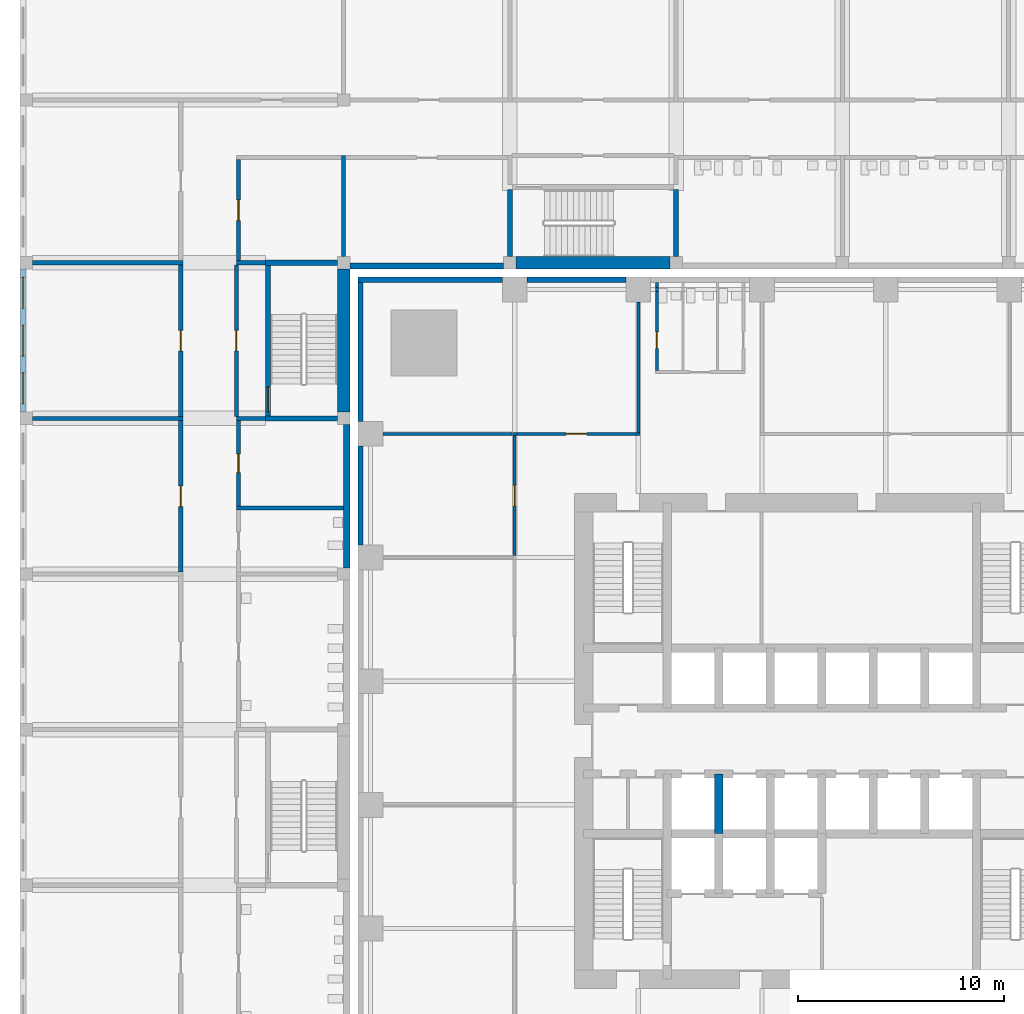
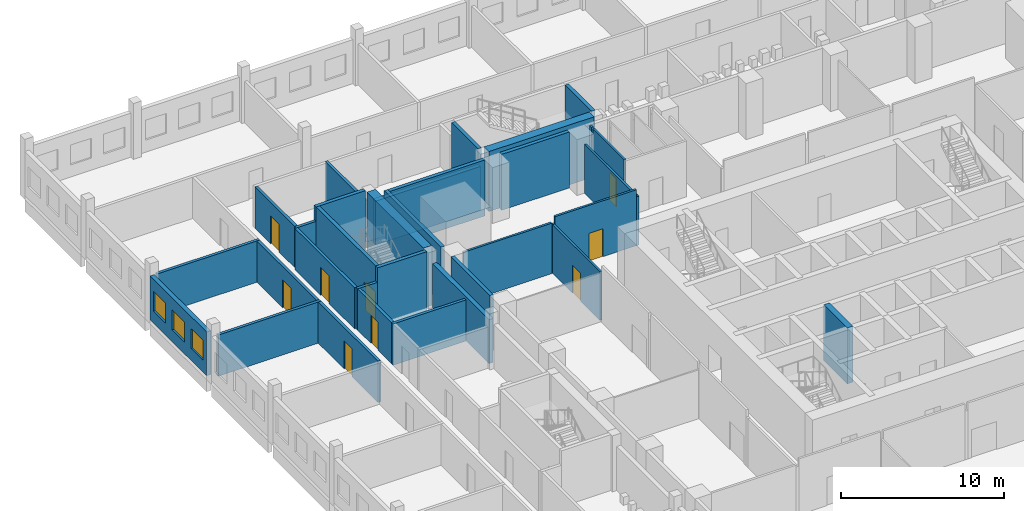
# One storey, part 21 of 34: 35 walls, 9 doors, 3 windows, 12 openings.
"""IFC4 building model written with IfcOpenShell, lengths in metres."""

from ifc_helpers import new_model, si_unit, direction, frame, frame_2d, origin, place, context, subcontext, project, spatial, rectangle, extrude, material, layer, layer_set, type_object, element, fill, save


model = new_model("IFC4")

# Units and contexts
model_context = context("Model", 3, precision=1e-05, world=origin(), true_north=direction((0.0, 1.0)))
body_context = subcontext(model_context, "Body", "Model", "MODEL_VIEW")
ifc_project = project(units=[si_unit("LENGTHUNIT", "METRE"), si_unit("AREAUNIT", "SQUARE_METRE"), si_unit("VOLUMEUNIT", "CUBIC_METRE"), si_unit("PLANEANGLEUNIT", "RADIAN"), si_unit("MASSUNIT", "GRAM", prefix="KILO")], contexts=[model_context])

# Site, building, storey
site_placement = place(None, origin())
site = spatial("IfcSite", under=ifc_project, at=site_placement, CompositionType="ELEMENT")
building_placement = place(site_placement, origin())
building = spatial("IfcBuilding", under=site, at=building_placement, Name="Amberfall Residences", CompositionType="ELEMENT")
storey_placement = place(building_placement, frame((0.0, 0.0, 5.5)))
storey = spatial("IfcBuildingStorey", under=building, at=storey_placement, Name="L01", CompositionType="ELEMENT", Elevation=5.5)

# Walls
ifc_material_1 = material(Name="Concrete C80", Category="concrete")
ifc_layer_1 = layer(ifc_material_1, 0.39990234375)
ifc_layer_set_1 = layer_set([ifc_layer_1], Name="Core wall 400 C80")
wall_type_1 = type_object("IfcWallType", Name="Core wall 400 C80", PredefinedType="SHEAR", material=ifc_layer_set_1)
wall_1_placement = place(storey_placement, frame((69.5, 41.0, 0.0), z_axis=(0.0, 0.0, 1.0), x_axis=(0.0, 1.0, 0.0)))
element("IfcWall", 1, at=wall_1_placement, inside=storey, type_object=wall_type_1, Name="Core wall RW2 L01 LPD1", PredefinedType="SHEAR", context=body_context, shape_type="SweptSolid", body=[
    extrude(rectangle(XDim=2.89990234375, YDim=0.39990234375, at=frame_2d((1.449951171875, 0.0))), origin(), (0.0, 0.0, 1.0), 4.199951171875),
])
ifc_material_2 = material(Name="Fire-rated gypsum board on steel studs", Category="steel")
ifc_layer_2 = layer(ifc_material_2, 0.14990234375)
ifc_layer_set_2 = layer_set([ifc_layer_2], Name="Partition 150 fire-rated")
wall_type_2 = type_object("IfcWallType", Name="Partition 150 fire-rated", PredefinedType="PARTITIONING", material=ifc_layer_set_2)
wall_2_placement = place(storey_placement, frame((53.199951171875, 60.39990234375, 0.0), z_axis=(0.0, 0.0, 1.0), x_axis=(1.0, 0.0, 0.0)))
element("IfcWall", 2, at=wall_2_placement, inside=storey, type_object=wall_type_2, Name="Partition 150 fire-rated L01 015", PredefinedType="PARTITIONING", context=body_context, shape_type="SweptSolid", body=[
    extrude(rectangle(XDim=6.280029296875, YDim=0.14990234375, at=frame_2d((3.14013671875, 0.0))), origin(), (0.0, 0.0, 1.0), 3.797119140625),
])
wall_3_placement = place(storey_placement, frame((59.49462890625, 60.39990234375, 0.0), z_axis=(0.0, 0.0, 1.0), x_axis=(1.0, 0.0, 0.0)))
element("IfcWall", 3, at=wall_3_placement, inside=storey, type_object=wall_type_2, Name="Partition 150 fire-rated L01 016", PredefinedType="PARTITIONING", context=body_context, shape_type="SweptSolid", body=[
    extrude(rectangle(XDim=0.210693359375, YDim=0.14990234375, at=frame_2d((0.10546875, 0.0))), origin(), (0.0, 0.0, 1.0), 3.659912109375),
])

# Wall, opening, door
wall_4_placement = place(storey_placement, frame((59.705322265625, 60.39990234375, 0.0), z_axis=(0.0, 0.0, 1.0), x_axis=(1.0, 0.0, 0.0)))
wall_4 = element("IfcWall", 4, at=wall_4_placement, inside=storey, type_object=wall_type_2, Name="Partition 150 fire-rated L01 017", PredefinedType="PARTITIONING", context=body_context, shape_type="SweptSolid", body=[
    extrude(rectangle(XDim=5.7900390625, YDim=0.14990234375, at=frame_2d((2.89501953125, 0.0))), origin(), (0.0, 0.0, 1.0), 4.199951171875),
])
opening_1_placement = place(wall_4_placement, frame((2.39453125, 0.0, 0.0)))
opening_1 = element("IfcOpeningElement", 5, at=opening_1_placement, cuts=wall_4, Name="Opening D2", PredefinedType="OPENING", context=body_context, shape_type="SweptSolid", body=[
    extrude(rectangle(XDim=1.0, YDim=2.10009765625, at=frame_2d((0.5, 1.050048828125))), frame((0.0, 0.0849609375, 0.0), z_axis=(0.0, -1.0, 0.0), x_axis=(1.0, 0.0, 0.0)), (0.0, 0.0, 1.0), 0.169921875),
])
ifc_material_3 = material(Name="Steel fire door leaf", Category="steel")
door_type_1 = type_object("IfcDoorType", Name="Fire door 1000x2100 FD30S", OperationType="SINGLE_SWING_LEFT", PredefinedType="DOOR", material=ifc_material_3)
door_1_placement = place(opening_1_placement, origin())
door_1 = element("IfcDoor", 6, at=door_1_placement, inside=storey, type_object=door_type_1, Name="Door Residents kitchen", OperationType="SINGLE_SWING_LEFT", OverallHeight=2.10009765625, OverallWidth=1.0, PredefinedType="DOOR", context=body_context, shape_type="SweptSolid", body=[
    extrude(rectangle(XDim=1.0, YDim=2.10009765625, at=frame_2d((0.5, 1.050048828125))), frame((0.0, 0.02490234375, 0.0), z_axis=(0.0, -1.0, 0.0), x_axis=(1.0, 0.0, 0.0)), (0.0, 0.0, 1.0), 0.050048828125),
])
fill(opening_1, door_1)

# Wall
wall_5_placement = place(storey_placement, frame((65.495361328125, 60.39990234375, 0.0), z_axis=(0.0, 0.0, 1.0), x_axis=(1.0, 0.0, 0.0)))
element("IfcWall", 7, at=wall_5_placement, inside=storey, type_object=wall_type_2, Name="Partition 150 fire-rated L01 018", PredefinedType="PARTITIONING", context=body_context, shape_type="SweptSolid", body=[
    extrude(rectangle(XDim=0.1796875, YDim=0.14990234375, at=frame_2d((0.08984375, 0.0))), origin(), (0.0, 0.0, 1.0), 3.6669921875),
])

# Wall, opening, door
wall_6_placement = place(storey_placement, frame((59.60009765625, 54.504638671875, 0.0), z_axis=(0.0, 0.0, 1.0), x_axis=(0.0, 1.0, 0.0)))
wall_6 = element("IfcWall", 8, at=wall_6_placement, inside=storey, type_object=wall_type_2, Name="Partition 150 fire-rated L01 036", PredefinedType="PARTITIONING", context=body_context, shape_type="SweptSolid", body=[
    extrude(rectangle(XDim=5.8203125, YDim=0.14990234375, at=frame_2d((2.91015625, 0.0))), origin(), (0.0, 0.0, 1.0), 3.659912109375),
])
opening_2_placement = place(wall_6_placement, frame((2.3955078125, 0.0, 0.0)))
opening_2 = element("IfcOpeningElement", 9, at=opening_2_placement, cuts=wall_6, Name="Opening D2", PredefinedType="OPENING", context=body_context, shape_type="SweptSolid", body=[
    extrude(rectangle(XDim=1.0, YDim=2.10009765625, at=frame_2d((0.5, 1.050048828125))), frame((0.0, 0.0849609375, 0.0), z_axis=(0.0, -1.0, 0.0), x_axis=(1.0, 0.0, 0.0)), (0.0, 0.0, 1.0), 0.169921875),
])
door_2_placement = place(opening_2_placement, origin())
door_2 = element("IfcDoor", 10, at=door_2_placement, inside=storey, type_object=door_type_1, Name="Door Cleaner's store", OperationType="SINGLE_SWING_LEFT", OverallHeight=2.10009765625, OverallWidth=1.0, PredefinedType="DOOR", context=body_context, shape_type="SweptSolid", body=[
    extrude(rectangle(XDim=1.0, YDim=2.10009765625, at=frame_2d((0.5, 1.050048828125))), frame((0.0, 0.02490234375, 0.0), z_axis=(0.0, -1.0, 0.0), x_axis=(1.0, 0.0, 0.0)), (0.0, 0.0, 1.0), 0.050048828125),
])
fill(opening_2, door_2)

# Wall
wall_7_placement = place(storey_placement, frame((65.60009765625, 60.47509765625, 0.0), z_axis=(0.0, 0.0, 1.0), x_axis=(0.0, 1.0, 0.0)))
element("IfcWall", 11, at=wall_7_placement, inside=storey, type_object=wall_type_2, Name="Partition 150 fire-rated L01 037", PredefinedType="PARTITIONING", context=body_context, shape_type="SweptSolid", body=[
    extrude(rectangle(XDim=6.324951171875, YDim=0.14990234375, at=frame_2d((3.16259765625, 0.0))), origin(), (0.0, 0.0, 1.0), 3.6669921875),
])

# Wall, opening, door
wall_8_placement = place(storey_placement, frame((66.5, 63.47509765625, 0.0), z_axis=(0.0, 0.0, 1.0), x_axis=(0.0, 1.0, 0.0)))
wall_8 = element("IfcWall", 12, at=wall_8_placement, inside=storey, type_object=wall_type_2, Name="Partition 150 fire-rated L01 038", PredefinedType="PARTITIONING", context=body_context, shape_type="SweptSolid", body=[
    extrude(rectangle(XDim=3.830078125, YDim=0.14990234375, at=frame_2d((1.9150390625, 0.0))), origin(), (0.0, 0.0, 1.0), 4.199951171875),
])
opening_3_placement = place(wall_8_placement, frame((1.074951171875, 0.0, 0.0)))
opening_3 = element("IfcOpeningElement", 13, at=opening_3_placement, cuts=wall_8, Name="Opening D3", PredefinedType="OPENING", context=body_context, shape_type="SweptSolid", body=[
    extrude(rectangle(XDim=0.800048828125, YDim=2.10009765625, at=frame_2d((0.39990234375, 1.050048828125))), frame((0.0, 0.0849609375, 0.0), z_axis=(0.0, -1.0, 0.0), x_axis=(1.0, 0.0, 0.0)), (0.0, 0.0, 1.0), 0.169921875),
])
ifc_material_4 = material(Name="Timber veneer door leaf", Category="wood")
door_type_2 = type_object("IfcDoorType", Name="Toilet door 800x2100", OperationType="SINGLE_SWING_LEFT", PredefinedType="DOOR", material=ifc_material_4)
door_3_placement = place(opening_3_placement, origin())
door_3 = element("IfcDoor", 14, at=door_3_placement, inside=storey, type_object=door_type_2, Name="Door Gents WC L01", OperationType="SINGLE_SWING_LEFT", OverallHeight=2.10009765625, OverallWidth=0.800048828125, PredefinedType="DOOR", context=body_context, shape_type="SweptSolid", body=[
    extrude(rectangle(XDim=0.800048828125, YDim=2.10009765625, at=frame_2d((0.39990234375, 1.050048828125))), frame((0.0, 0.02490234375, 0.0), z_axis=(0.0, -1.0, 0.0), x_axis=(1.0, 0.0, 0.0)), (0.0, 0.0, 1.0), 0.050048828125),
])
fill(opening_3, door_3)

# Walls
wall_9_placement = place(storey_placement, frame((66.5, 67.30517578125, 0.0), z_axis=(0.0, 0.0, 1.0), x_axis=(0.0, 1.0, 0.0)))
element("IfcWall", 15, at=wall_9_placement, inside=storey, type_object=wall_type_2, Name="Partition 150 fire-rated L01 039", PredefinedType="PARTITIONING", context=body_context, shape_type="SweptSolid", body=[
    extrude(rectangle(XDim=0.18994140625, YDim=0.14990234375, at=frame_2d((0.094970703125, 0.0))), origin(), (0.0, 0.0, 1.0), 3.7470703125),
])
wall_10_placement = place(storey_placement, frame((66.5, 67.4951171875, 0.0), z_axis=(0.0, 0.0, 1.0), x_axis=(0.0, 1.0, 0.0)))
element("IfcWall", 16, at=wall_10_placement, inside=storey, type_object=wall_type_2, Name="Partition 150 fire-rated L01 040", PredefinedType="PARTITIONING", context=body_context, shape_type="SweptSolid", body=[
    extrude(rectangle(XDim=0.244873046875, YDim=0.14990234375, at=frame_2d((0.12255859375, 0.0))), origin(), (0.0, 0.0, 1.0), 4.199951171875),
])
ifc_material_5 = material(Name="Precast concrete C40", Category="concrete")
ifc_layer_3 = layer(ifc_material_5, 0.25)
ifc_layer_set_3 = layer_set([ifc_layer_3], Name="Podium external wall 250")
wall_type_3 = type_object("IfcWallType", Name="Podium external wall 250", PredefinedType="SOLIDWALL", material=ifc_layer_set_3)
wall_11_placement = place(storey_placement, frame((52.0, 67.875, 0.0), z_axis=(0.0, 0.0, 1.0), x_axis=(1.0, 0.0, 0.0)))
element("IfcWall", 17, at=wall_11_placement, inside=storey, type_object=wall_type_3, Name="Podium external wall N1", PredefinedType="SOLIDWALL", context=body_context, shape_type="SweptSolid", body=[
    extrude(rectangle(XDim=7.0, YDim=0.25, at=frame_2d((3.5, 0.0))), origin(), (0.0, 0.0, 1.0), 4.199951171875),
])
for number, where, z_axis, x_axis, name in (
    (18, (60.199951171875, 67.875, 0.0), (0.0, 0.0, 1.0), (1.0, 0.0, 0.0), "Podium external wall N2"),
    (19, (52.125, 55.0, 0.0), (0.0, 0.0, 1.0), (0.0, 1.0, 0.0), "Podium external wall W6"),
):
    element("IfcWall", number, at=place(storey_placement, frame(where, z_axis=z_axis, x_axis=x_axis)), inside=storey, type_object=wall_type_3, Name=name, PredefinedType="SOLIDWALL", context=body_context, shape_type="SweptSolid", body=[
        extrude(rectangle(XDim=4.800048828125, YDim=0.25, at=frame_2d((2.39990234375, 0.0))), origin(), (0.0, 0.0, 1.0), 4.199951171875),
    ])
wall_12_placement = place(storey_placement, frame((52.125, 61.0, 0.0), z_axis=(0.0, 0.0, 1.0), x_axis=(0.0, 1.0, 0.0)))
element("IfcWall", 20, at=wall_12_placement, inside=storey, type_object=wall_type_3, Name="Podium external wall W7", PredefinedType="SOLIDWALL", context=body_context, shape_type="SweptSolid", body=[
    extrude(rectangle(XDim=7.0, YDim=0.25, at=frame_2d((3.5, 0.0))), origin(), (0.0, 0.0, 1.0), 4.199951171875),
])

# Wall, openings, windows
ifc_material_6 = material(Name="Aerated block wall")
ifc_layer_4 = layer(ifc_material_6, 0.300048828125)
ifc_layer_set_4 = layer_set([ifc_layer_4], Name="School external wall 300")
wall_type_4 = type_object("IfcWallType", Name="School external wall 300", PredefinedType="SOLIDWALL", material=ifc_layer_set_4)
wall_13_placement = place(storey_placement, frame((35.75, 61.449951171875, 0.0), z_axis=(0.0, 0.0, 1.0), x_axis=(0.0, 1.0, 0.0)))
wall_13 = element("IfcWall", 21, at=wall_13_placement, inside=storey, type_object=wall_type_4, Name="School external wall L01 EW7", PredefinedType="SOLIDWALL", context=body_context, shape_type="SweptSolid", body=[
    extrude(rectangle(XDim=6.949951171875, YDim=0.300048828125, at=frame_2d((3.47509765625, 0.0))), origin(), (0.0, 0.0, 1.0), 3.300048828125),
])
opening_4_placement = place(wall_13_placement, frame((0.408203125, 0.0, 0.89990234375)))
opening_4 = element("IfcOpeningElement", 22, at=opening_4_placement, cuts=wall_13, Name="Opening SWN1", PredefinedType="OPENING", context=body_context, shape_type="SweptSolid", body=[
    extrude(rectangle(XDim=1.5, YDim=1.5, at=frame_2d((0.75, 0.75))), frame((0.0, 0.159912109375, 0.0), z_axis=(0.0, -1.0, 0.0), x_axis=(1.0, 0.0, 0.0)), (0.0, 0.0, 1.0), 0.320068359375),
])
opening_5_placement = place(wall_13_placement, frame((2.72509765625, 0.0, 0.89990234375)))
opening_5 = element("IfcOpeningElement", 23, at=opening_5_placement, cuts=wall_13, Name="Opening SWN1", PredefinedType="OPENING", context=body_context, shape_type="SweptSolid", body=[
    extrude(rectangle(XDim=1.5, YDim=1.5, at=frame_2d((0.75, 0.75))), frame((0.0, 0.159912109375, 0.0), z_axis=(0.0, -1.0, 0.0), x_axis=(1.0, 0.0, 0.0)), (0.0, 0.0, 1.0), 0.320068359375),
])
opening_6_placement = place(wall_13_placement, frame((5.041748046875, 0.0, 0.89990234375)))
opening_6 = element("IfcOpeningElement", 24, at=opening_6_placement, cuts=wall_13, Name="Opening SWN1", PredefinedType="OPENING", context=body_context, shape_type="SweptSolid", body=[
    extrude(rectangle(XDim=1.5, YDim=1.5, at=frame_2d((0.75, 0.75))), frame((0.0, 0.159912109375, 0.0), z_axis=(0.0, -1.0, 0.0), x_axis=(1.0, 0.0, 0.0)), (0.0, 0.0, 1.0), 0.320068359375),
])
ifc_material_7 = material(Name="Aluminium window", Category="aluminium")
window_type = type_object("IfcWindowType", Name="School window 1500 x 1500", PartitioningType="DOUBLE_PANEL_HORIZONTAL", PredefinedType="WINDOW", material=ifc_material_7)
window_1_placement = place(opening_4_placement, origin())
window_1 = element("IfcWindow", 25, at=window_1_placement, inside=storey, type_object=window_type, Name="School window L01 EW7-1", OverallHeight=1.5, OverallWidth=1.5, PartitioningType="DOUBLE_PANEL_HORIZONTAL", PredefinedType="WINDOW", context=body_context, shape_type="SweptSolid", body=[
    extrude(rectangle(XDim=1.5, YDim=1.5, at=frame_2d((0.75, 0.75))), frame((0.0, 0.030029296875, 0.0), z_axis=(0.0, -1.0, 0.0), x_axis=(1.0, 0.0, 0.0)), (0.0, 0.0, 1.0), 0.06005859375),
])
fill(opening_4, window_1)
window_2_placement = place(opening_5_placement, origin())
window_2 = element("IfcWindow", 26, at=window_2_placement, inside=storey, type_object=window_type, Name="School window L01 EW7-2", OverallHeight=1.5, OverallWidth=1.5, PartitioningType="DOUBLE_PANEL_HORIZONTAL", PredefinedType="WINDOW", context=body_context, shape_type="SweptSolid", body=[
    extrude(rectangle(XDim=1.5, YDim=1.5, at=frame_2d((0.75, 0.75))), frame((0.0, 0.030029296875, 0.0), z_axis=(0.0, -1.0, 0.0), x_axis=(1.0, 0.0, 0.0)), (0.0, 0.0, 1.0), 0.06005859375),
])
fill(opening_5, window_2)
window_3_placement = place(opening_6_placement, origin())
window_3 = element("IfcWindow", 27, at=window_3_placement, inside=storey, type_object=window_type, Name="School window L01 EW7-3", OverallHeight=1.5, OverallWidth=1.5, PartitioningType="DOUBLE_PANEL_HORIZONTAL", PredefinedType="WINDOW", context=body_context, shape_type="SweptSolid", body=[
    extrude(rectangle(XDim=1.5, YDim=1.5, at=frame_2d((0.75, 0.75))), frame((0.0, 0.030029296875, 0.0), z_axis=(0.0, -1.0, 0.0), x_axis=(1.0, 0.0, 0.0)), (0.0, 0.0, 1.0), 0.06005859375),
])
fill(opening_6, window_3)

# Walls
wall_14_placement = place(storey_placement, frame((51.449951171875, 53.89990234375, 0.0), z_axis=(0.0, 0.0, 1.0), x_axis=(0.0, 1.0, 0.0)))
element("IfcWall", 28, at=wall_14_placement, inside=storey, type_object=wall_type_4, Name="School external wall L01 ET6", PredefinedType="SOLIDWALL", context=body_context, shape_type="SweptSolid", body=[
    extrude(rectangle(XDim=6.9501953125, YDim=0.300048828125, at=frame_2d((3.47509765625, 0.0))), origin(), (0.0, 0.0, 1.0), 3.300048828125),
])
wall_15_placement = place(storey_placement, frame((51.60009765625, 68.550048828125, 0.0), z_axis=(0.0, 0.0, 1.0), x_axis=(1.0, 0.0, 0.0)))
element("IfcWall", 29, at=wall_15_placement, inside=storey, type_object=wall_type_4, Name="School external wall L01 EY0", PredefinedType="SOLIDWALL", context=body_context, shape_type="SweptSolid", body=[
    extrude(rectangle(XDim=7.466796875, YDim=0.300048828125, at=frame_2d((3.7333984375, 0.0))), origin(), (0.0, 0.0, 1.0), 3.300048828125),
])

# Wall, opening, door
ifc_layer_5 = layer(ifc_material_6, 0.199951171875)
ifc_layer_set_5 = layer_set([ifc_layer_5], Name="School partition 200")
wall_type_5 = type_object("IfcWallType", Name="School partition 200", PredefinedType="PARTITIONING", material=ifc_layer_set_5)
wall_16_placement = place(storey_placement, frame((43.39990234375, 53.699951171875, 0.0), z_axis=(0.0, 0.0, 1.0), x_axis=(0.0, 1.0, 0.0)))
wall_16 = element("IfcWall", 30, at=wall_16_placement, inside=storey, type_object=wall_type_5, Name="School partition L01 CWW6", PredefinedType="PARTITIONING", context=body_context, shape_type="SweptSolid", body=[
    extrude(rectangle(XDim=7.35009765625, YDim=0.199951171875, at=frame_2d((3.675048828125, 0.0))), origin(), (0.0, 0.0, 1.0), 3.10009765625),
])
opening_7_placement = place(wall_16_placement, frame((3.175048828125, 0.0, 0.0)))
opening_7 = element("IfcOpeningElement", 31, at=opening_7_placement, cuts=wall_16, Name="Opening SD5", PredefinedType="OPENING", context=body_context, shape_type="SweptSolid", body=[
    extrude(rectangle(XDim=1.0, YDim=2.10009765625, at=frame_2d((0.5, 1.050048828125))), frame((0.0, 0.10986328125, 0.0), z_axis=(0.0, -1.0, 0.0), x_axis=(1.0, 0.0, 0.0)), (0.0, 0.0, 1.0), 0.219970703125),
])
ifc_material_8 = material(Name="Timber door", Category="wood")
door_type_3 = type_object("IfcDoorType", Name="School classroom door 1000 x 2100", OperationType="SINGLE_SWING_LEFT", PredefinedType="DOOR", material=ifc_material_8)
door_4_placement = place(opening_7_placement, origin())
door_4 = element("IfcDoor", 32, at=door_4_placement, inside=storey, type_object=door_type_3, Name="School door L01 CWW6-1", OperationType="SINGLE_SWING_LEFT", OverallHeight=2.10009765625, OverallWidth=1.0, PredefinedType="DOOR", context=body_context, shape_type="SweptSolid", body=[
    extrude(rectangle(XDim=1.0, YDim=2.10009765625, at=frame_2d((0.5, 1.050048828125))), frame((0.0, 0.02490234375, 0.0), z_axis=(0.0, -1.0, 0.0), x_axis=(1.0, 0.0, 0.0)), (0.0, 0.0, 1.0), 0.050048828125),
])
fill(opening_7, door_4)

wall_17_placement = place(storey_placement, frame((43.39990234375, 61.25, 0.0), z_axis=(0.0, 0.0, 1.0), x_axis=(0.0, 1.0, 0.0)))
wall_17 = element("IfcWall", 33, at=wall_17_placement, inside=storey, type_object=wall_type_5, Name="School partition L01 CWW7", PredefinedType="PARTITIONING", context=body_context, shape_type="SweptSolid", body=[
    extrude(rectangle(XDim=7.35009765625, YDim=0.199951171875, at=frame_2d((3.675048828125, 0.0))), origin(), (0.0, 0.0, 1.0), 3.10009765625),
])
opening_8_placement = place(wall_17_placement, frame((3.175048828125, 0.0, 0.0)))
opening_8 = element("IfcOpeningElement", 34, at=opening_8_placement, cuts=wall_17, Name="Opening SD5", PredefinedType="OPENING", context=body_context, shape_type="SweptSolid", body=[
    extrude(rectangle(XDim=1.0, YDim=2.10009765625, at=frame_2d((0.5, 1.050048828125))), frame((0.0, 0.10986328125, 0.0), z_axis=(0.0, -1.0, 0.0), x_axis=(1.0, 0.0, 0.0)), (0.0, 0.0, 1.0), 0.219970703125),
])
door_5_placement = place(opening_8_placement, origin())
door_5 = element("IfcDoor", 35, at=door_5_placement, inside=storey, type_object=door_type_3, Name="School door L01 CWW7-1", OperationType="SINGLE_SWING_LEFT", OverallHeight=2.10009765625, OverallWidth=1.0, PredefinedType="DOOR", context=body_context, shape_type="SweptSolid", body=[
    extrude(rectangle(XDim=1.0, YDim=2.10009765625, at=frame_2d((0.5, 1.050048828125))), frame((0.0, 0.02490234375, 0.0), z_axis=(0.0, -1.0, 0.0), x_axis=(1.0, 0.0, 0.0)), (0.0, 0.0, 1.0), 0.050048828125),
])
fill(opening_8, door_5)

# Walls
for number, where, z_axis, x_axis, name in (
    (36, (36.199951171875, 61.14990234375, 0.0), (0.0, 0.0, 1.0), (1.0, 0.0, 0.0), "School partition L01 PW6115"),
    (37, (36.199951171875, 68.699951171875, 0.0), (0.0, 0.0, 1.0), (1.0, 0.0, 0.0), "School partition L01 PW6870"),
):
    element("IfcWall", number, at=place(storey_placement, frame(where, z_axis=z_axis, x_axis=x_axis)), inside=storey, type_object=wall_type_5, Name=name, PredefinedType="PARTITIONING", context=body_context, shape_type="SweptSolid", body=[
        extrude(rectangle(XDim=7.300048828125, YDim=0.199951171875, at=frame_2d((3.64990234375, 0.0))), origin(), (0.0, 0.0, 1.0), 3.10009765625),
    ])

# Wall, opening, door
wall_18_placement = place(storey_placement, frame((46.199951171875, 56.89990234375, 0.0), z_axis=(0.0, 0.0, 1.0), x_axis=(0.0, 1.0, 0.0)))
wall_18 = element("IfcWall", 38, at=wall_18_placement, inside=storey, type_object=wall_type_5, Name="School partition L01 CWE657", PredefinedType="PARTITIONING", context=body_context, shape_type="SweptSolid", body=[
    extrude(rectangle(XDim=4.150146484375, YDim=0.199951171875, at=frame_2d((2.0751953125, 0.0))), origin(), (0.0, 0.0, 1.0), 3.10009765625),
])
opening_9_placement = place(wall_18_placement, frame((1.625, 0.0, 0.0)))
opening_9 = element("IfcOpeningElement", 39, at=opening_9_placement, cuts=wall_18, Name="Opening SD2", PredefinedType="OPENING", context=body_context, shape_type="SweptSolid", body=[
    extrude(rectangle(XDim=0.89990234375, YDim=2.10009765625, at=frame_2d((0.449951171875, 1.050048828125))), frame((0.0, 0.10986328125, 0.0), z_axis=(0.0, -1.0, 0.0), x_axis=(1.0, 0.0, 0.0)), (0.0, 0.0, 1.0), 0.219970703125),
])
door_type_4 = type_object("IfcDoorType", Name="School WC door 900 x 2100", OperationType="SINGLE_SWING_LEFT", PredefinedType="DOOR", material=ifc_material_8)
door_6_placement = place(opening_9_placement, origin())
door_6 = element("IfcDoor", 40, at=door_6_placement, inside=storey, type_object=door_type_4, Name="School door L01 CWE657-1", OperationType="SINGLE_SWING_LEFT", OverallHeight=2.10009765625, OverallWidth=0.89990234375, PredefinedType="DOOR", context=body_context, shape_type="SweptSolid", body=[
    extrude(rectangle(XDim=0.89990234375, YDim=2.10009765625, at=frame_2d((0.449951171875, 1.050048828125))), frame((0.0, 0.02490234375, 0.0), z_axis=(0.0, -1.0, 0.0), x_axis=(1.0, 0.0, 0.0)), (0.0, 0.0, 1.0), 0.050048828125),
])
fill(opening_9, door_6)

wall_19_placement = place(storey_placement, frame((46.199951171875, 68.800048828125, 0.0), z_axis=(0.0, 0.0, 1.0), x_axis=(0.0, 1.0, 0.0)))
wall_19 = element("IfcWall", 41, at=wall_19_placement, inside=storey, type_object=wall_type_5, Name="School partition L01 CWE869", PredefinedType="PARTITIONING", context=body_context, shape_type="SweptSolid", body=[
    extrude(rectangle(XDim=4.89990234375, YDim=0.199951171875, at=frame_2d((2.449951171875, 0.0))), origin(), (0.0, 0.0, 1.0), 3.10009765625),
])
opening_10_placement = place(wall_19_placement, frame((1.949951171875, 0.0, 0.0)))
opening_10 = element("IfcOpeningElement", 42, at=opening_10_placement, cuts=wall_19, Name="Opening SD5", PredefinedType="OPENING", context=body_context, shape_type="SweptSolid", body=[
    extrude(rectangle(XDim=1.0, YDim=2.10009765625, at=frame_2d((0.5, 1.050048828125))), frame((0.0, 0.10986328125, 0.0), z_axis=(0.0, -1.0, 0.0), x_axis=(1.0, 0.0, 0.0)), (0.0, 0.0, 1.0), 0.219970703125),
])
door_7_placement = place(opening_10_placement, origin())
door_7 = element("IfcDoor", 43, at=door_7_placement, inside=storey, type_object=door_type_3, Name="School door L01 CWE869-1", OperationType="SINGLE_SWING_LEFT", OverallHeight=2.10009765625, OverallWidth=1.0, PredefinedType="DOOR", context=body_context, shape_type="SweptSolid", body=[
    extrude(rectangle(XDim=1.0, YDim=2.10009765625, at=frame_2d((0.5, 1.050048828125))), frame((0.0, 0.02490234375, 0.0), z_axis=(0.0, -1.0, 0.0), x_axis=(1.0, 0.0, 0.0)), (0.0, 0.0, 1.0), 0.050048828125),
])
fill(opening_10, door_7)

# Walls
for number, where, z_axis, x_axis, name in (
    (44, (46.10009765625, 61.14990234375, 0.0), (0.0, 0.0, 1.0), (1.0, 0.0, 0.0), "School partition L01 PEA7"),
    (45, (46.10009765625, 68.699951171875, 0.0), (0.0, 0.0, 1.0), (1.0, 0.0, 0.0), "School partition L01 PEA8"),
):
    element("IfcWall", number, at=place(storey_placement, frame(where, z_axis=z_axis, x_axis=x_axis)), inside=storey, type_object=wall_type_5, Name=name, PredefinedType="PARTITIONING", context=body_context, shape_type="SweptSolid", body=[
        extrude(rectangle(XDim=1.39990234375, YDim=0.199951171875, at=frame_2d((0.699951171875, 0.0))), origin(), (0.0, 0.0, 1.0), 3.10009765625),
    ])
wall_20_placement = place(storey_placement, frame((46.10009765625, 56.800048828125, 0.0), z_axis=(0.0, 0.0, 1.0), x_axis=(1.0, 0.0, 0.0)))
element("IfcWall", 46, at=wall_20_placement, inside=storey, type_object=wall_type_5, Name="School partition L01 PE6x", PredefinedType="PARTITIONING", context=body_context, shape_type="SweptSolid", body=[
    extrude(rectangle(XDim=5.199951171875, YDim=0.199951171875, at=frame_2d((2.60009765625, 0.0))), origin(), (0.0, 0.0, 1.0), 3.10009765625),
])
wall_21_placement = place(storey_placement, frame((51.300048828125, 69.0, 0.0), z_axis=(0.0, 0.0, 1.0), x_axis=(0.0, 1.0, 0.0)))
element("IfcWall", 47, at=wall_21_placement, inside=storey, type_object=wall_type_5, Name="School partition L01 PES", PredefinedType="PARTITIONING", context=body_context, shape_type="SweptSolid", body=[
    extrude(rectangle(XDim=4.89990234375, YDim=0.199951171875, at=frame_2d((2.449951171875, 0.0))), origin(), (0.0, 0.0, 1.0), 3.10009765625),
])

# Wall, opening, door
wall_22_placement = place(storey_placement, frame((46.10009765625, 61.25, 0.0), z_axis=(0.0, 0.0, 1.0), x_axis=(0.0, 1.0, 0.0)))
wall_22 = element("IfcWall", 48, at=wall_22_placement, inside=storey, type_object=wall_type_5, Name="School partition L01 CWLSS3", PredefinedType="PARTITIONING", context=body_context, shape_type="SweptSolid", body=[
    extrude(rectangle(XDim=7.35009765625, YDim=0.199951171875, at=frame_2d((3.675048828125, 0.0))), origin(), (0.0, 0.0, 1.0), 3.10009765625),
])
opening_11_placement = place(wall_22_placement, frame((3.175048828125, 0.0, 0.0)))
opening_11 = element("IfcOpeningElement", 49, at=opening_11_placement, cuts=wall_22, Name="Opening SD8", PredefinedType="OPENING", context=body_context, shape_type="SweptSolid", body=[
    extrude(rectangle(XDim=1.0, YDim=2.10009765625, at=frame_2d((0.5, 1.050048828125))), frame((0.0, 0.10986328125, 0.0), z_axis=(0.0, -1.0, 0.0), x_axis=(1.0, 0.0, 0.0)), (0.0, 0.0, 1.0), 0.219970703125),
])
door_type_5 = type_object("IfcDoorType", Name="School lobby door 1000 x 2100", OperationType="SINGLE_SWING_LEFT", PredefinedType="DOOR", material=ifc_material_8)
door_8_placement = place(opening_11_placement, origin())
door_8 = element("IfcDoor", 50, at=door_8_placement, inside=storey, type_object=door_type_5, Name="School door L01 CWLSS3-1", OperationType="SINGLE_SWING_LEFT", OverallHeight=2.10009765625, OverallWidth=1.0, PredefinedType="DOOR", context=body_context, shape_type="SweptSolid", body=[
    extrude(rectangle(XDim=1.0, YDim=2.10009765625, at=frame_2d((0.5, 1.050048828125))), frame((0.0, 0.02490234375, 0.0), z_axis=(0.0, -1.0, 0.0), x_axis=(1.0, 0.0, 0.0)), (0.0, 0.0, 1.0), 0.050048828125),
])
fill(opening_11, door_8)

ifc_material_9 = material(Name="Concrete C50", Category="concrete")
ifc_layer_6 = layer(ifc_material_9, 0.25)
ifc_layer_set_6 = layer_set([ifc_layer_6], Name="School stair core wall 250 C50")
wall_type_6 = type_object("IfcWallType", Name="School stair core wall 250 C50", PredefinedType="SHEAR", material=ifc_layer_set_6)
wall_23_placement = place(storey_placement, frame((47.625, 61.27490234375, -0.300048828125), z_axis=(0.0, 0.0, 1.0), x_axis=(0.0, 1.0, 0.0)))
wall_23 = element("IfcWall", 51, at=wall_23_placement, inside=storey, type_object=wall_type_6, Name="School core wall L01 SS3W", PredefinedType="SHEAR", context=body_context, shape_type="SweptSolid", body=[
    extrude(rectangle(XDim=7.300048828125, YDim=0.25, at=frame_2d((3.64990234375, 0.0))), origin(), (0.0, 0.0, 1.0), 4.5),
])
opening_12_placement = place(wall_23_placement, frame((0.199951171875, 0.0, 0.300048828125)))
opening_12 = element("IfcOpeningElement", 52, at=opening_12_placement, cuts=wall_23, Name="Opening SD4", PredefinedType="OPENING", context=body_context, shape_type="SweptSolid", body=[
    extrude(rectangle(XDim=1.199951171875, YDim=2.10009765625, at=frame_2d((0.60009765625, 1.050048828125))), frame((0.0, 0.135009765625, 0.0), z_axis=(0.0, -1.0, 0.0), x_axis=(1.0, 0.0, 0.0)), (0.0, 0.0, 1.0), 0.27001953125),
])
ifc_material_10 = material(Name="Steel fire door", Category="steel")
door_type_6 = type_object("IfcDoorType", Name="School stair door 1200 x 2100 FD120", OperationType="SINGLE_SWING_LEFT", PredefinedType="DOOR", material=ifc_material_10)
door_9_placement = place(opening_12_placement, origin())
door_9 = element("IfcDoor", 53, at=door_9_placement, inside=storey, type_object=door_type_6, Name="School stair door L01 SS3", OperationType="SINGLE_SWING_LEFT", OverallHeight=2.10009765625, OverallWidth=1.199951171875, PredefinedType="DOOR", context=body_context, shape_type="SweptSolid", body=[
    extrude(rectangle(XDim=1.199951171875, YDim=2.10009765625, at=frame_2d((0.60009765625, 1.050048828125))), frame((0.0, 0.02490234375, 0.0), z_axis=(0.0, -1.0, 0.0), x_axis=(1.0, 0.0, 0.0)), (0.0, 0.0, 1.0), 0.050048828125),
])
fill(opening_12, door_9)

# Walls
for number, where, z_axis, x_axis, name in (
    (54, (47.5, 61.14990234375, -0.300048828125), (0.0, 0.0, 1.0), (1.0, 0.0, 0.0), "School core wall L01 SS3S"),
    (55, (47.5, 68.699951171875, -0.300048828125), (0.0, 0.0, 1.0), (1.0, 0.0, 0.0), "School core wall L01 SS3N"),
):
    element("IfcWall", number, at=place(storey_placement, frame(where, z_axis=z_axis, x_axis=x_axis)), inside=storey, type_object=wall_type_6, Name=name, PredefinedType="SHEAR", context=body_context, shape_type="SweptSolid", body=[
        extrude(rectangle(XDim=3.5, YDim=0.25, at=frame_2d((1.75, 0.0))), origin(), (0.0, 0.0, 1.0), 4.5),
    ])
for number, where, z_axis, x_axis, name in (
    (56, (59.366943359375, 69.0, -0.300048828125), (0.0, 0.0, 1.0), (0.0, 1.0, 0.0), "School core wall L01 SS4W"),
    (57, (67.43310546875, 69.0, -0.300048828125), (0.0, 0.0, 1.0), (0.0, 1.0, 0.0), "School core wall L01 SS4EW"),
):
    element("IfcWall", number, at=place(storey_placement, frame(where, z_axis=z_axis, x_axis=x_axis)), inside=storey, type_object=wall_type_6, Name=name, PredefinedType="SHEAR", context=body_context, shape_type="SweptSolid", body=[
        extrude(rectangle(XDim=3.25, YDim=0.25, at=frame_2d((1.625, 0.0))), origin(), (0.0, 0.0, 1.0), 4.5),
    ])
ifc_layer_7 = layer(ifc_material_9, 0.60009765625)
ifc_layer_set_7 = layer_set([ifc_layer_7], Name="School tower-side core wall 600 C50")
wall_type_7 = type_object("IfcWallType", Name="School tower-side core wall 600 C50", PredefinedType="SHEAR", material=ifc_layer_set_7)
wall_24_placement = place(storey_placement, frame((51.300048828125, 61.449951171875, -0.300048828125), z_axis=(0.0, 0.0, 1.0), x_axis=(0.0, 1.0, 0.0)))
element("IfcWall", 58, at=wall_24_placement, inside=storey, type_object=wall_type_7, Name="School core wall L01 SS3E", PredefinedType="SHEAR", context=body_context, shape_type="SweptSolid", body=[
    extrude(rectangle(XDim=6.949951171875, YDim=0.60009765625, at=frame_2d((3.47509765625, 0.0))), origin(), (0.0, 0.0, 1.0), 4.5),
])
wall_25_placement = place(storey_placement, frame((59.6669921875, 68.699951171875, -0.300048828125), z_axis=(0.0, 0.0, 1.0), x_axis=(1.0, 0.0, 0.0)))
element("IfcWall", 59, at=wall_25_placement, inside=storey, type_object=wall_type_7, Name="School core wall L01 SS4S", PredefinedType="SHEAR", context=body_context, shape_type="SweptSolid", body=[
    extrude(rectangle(XDim=7.466064453125, YDim=0.60009765625, at=frame_2d((3.73291015625, 0.0))), origin(), (0.0, 0.0, 1.0), 4.5),
])

save(model, "model.ifc")
